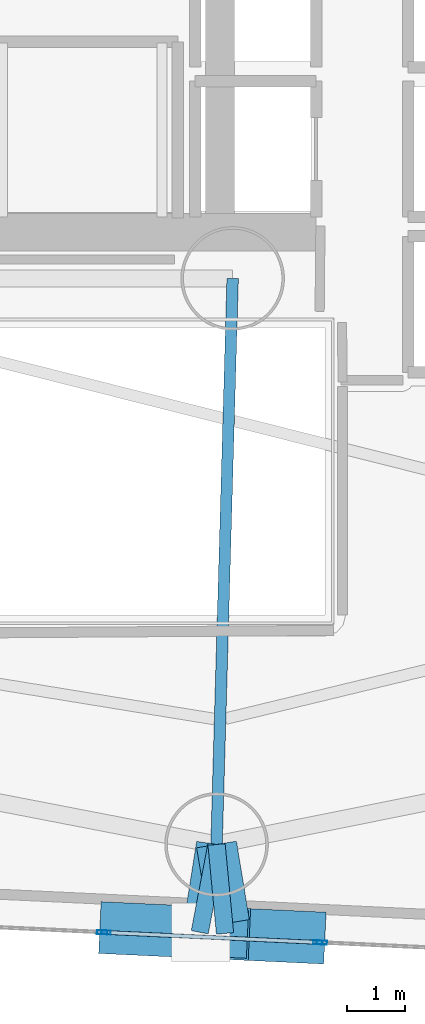
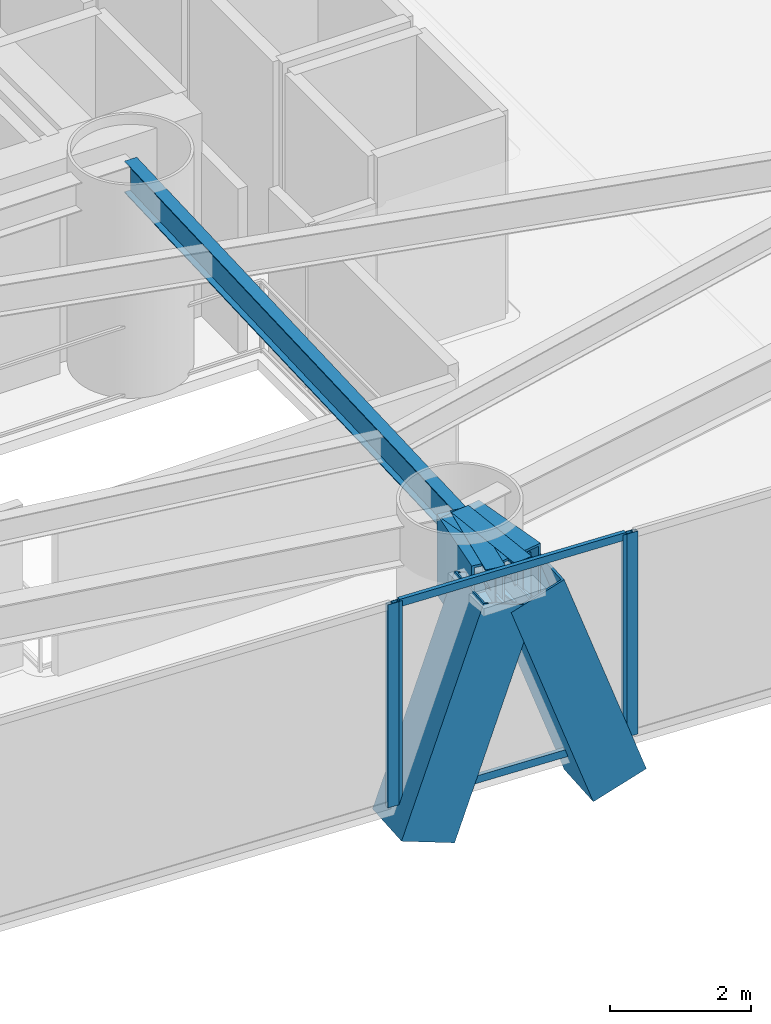
# One storey, part 5 of 23: 8 members, 5 beams, 3 elements without a shape of their own.
"""IFC4 building model written with IfcOpenShell, lengths in metres."""

from ifc_helpers import new_model, si_unit, direction, frame, origin, origin_2d, place, context, subcontext, project, spatial, hollow_rectangle, i_section, extrude, material, layer, layer_set, material_profile, profile_set, type_object, element, aggregate, save


model = new_model("IFC4")

# Units and contexts
model_context = context("Model", 3, precision=1e-05, world=origin(), true_north=direction((0.0, 1.0)))
body_context = subcontext(model_context, "Body", "Model", "MODEL_VIEW")
ifc_project = project(units=[si_unit("LENGTHUNIT", "METRE"), si_unit("AREAUNIT", "SQUARE_METRE"), si_unit("VOLUMEUNIT", "CUBIC_METRE"), si_unit("PLANEANGLEUNIT", "RADIAN"), si_unit("MASSUNIT", "GRAM", prefix="KILO")], contexts=[model_context])

# Site, building, storey
site_placement = place(None, origin())
site = spatial("IfcSite", under=ifc_project, at=site_placement, CompositionType="ELEMENT")
building_placement = place(site_placement, origin())
building = spatial("IfcBuilding", under=site, at=building_placement, Name="Qianvela Tower", CompositionType="ELEMENT")
storey_placement = place(building_placement, frame((0.0, 0.0, 36.800048828125)))
storey = spatial("IfcBuildingStorey", under=building, at=storey_placement, Name="L08", CompositionType="ELEMENT", Elevation=36.800048828125)

# Beams
ifc_material_1 = material(Name="Steel Q355B", Category="steel")
ifc_material_profile_1 = material_profile(ifc_material_1, i_section(OverallWidth=0.199951171875, OverallDepth=0.550048828125, WebThickness=0.010009765625, FlangeThickness=0.01611328125, at=origin_2d()), Name="HN550x200x10x16")
ifc_profile_set_1 = profile_set([ifc_material_profile_1], Name="Steel Q355B")
beam_type_1 = type_object("IfcBeamType", Name="BM-HN550-GIRD", PredefinedType="BEAM", material=ifc_profile_set_1)
beam_placement = place(storey_placement, frame((38.39990234375, 23.85009765625, 3.242919921875), z_axis=(-0.028439336302, -0.999595520273, 0.0), x_axis=(0.999595520273, -0.028439336302, 0.0)))
element("IfcBeam", 1, at=beam_placement, inside=storey, type_object=beam_type_1, Name="L08 Radial Primary Floor Girder 6", PredefinedType="BEAM", context=body_context, shape_type="SweptSolid", body=[
    extrude(i_section(OverallWidth=0.199951171875, OverallDepth=0.550048828125, WebThickness=0.010009765625, FlangeThickness=0.01611328125, at=origin_2d()), origin(), (0.0, 0.0, 1.0), 9.837890625),
])
ifc_material_2 = material(Name="Steel Q355B", Category="steel")
ifc_material_profile_2 = material_profile(ifc_material_2, i_section(OverallWidth=0.300048828125, OverallDepth=0.699951171875, WebThickness=0.012939453125, FlangeThickness=0.02392578125, at=origin_2d()), Name="HN700x300x13x24")
ifc_profile_set_2 = profile_set([ifc_material_profile_2], Name="Steel Q355B")
beam_type_2 = type_object("IfcBeamType", Name="BM-HN700-SPAND", PredefinedType="SPANDREL", material=ifc_profile_set_2)
for number, where, z_axis, x_axis, name in (
    (2, (38.1201171875, 14.01611328125, 3.16796875), (-0.188123923487, -0.982145299542, 0.0), (0.982145299542, -0.188123923487, 0.0), "L08 Mega-Brace Column Tie Bracket F3-1"),
    (3, (38.1201171875, 14.01611328125, 3.16796875), (0.095002078177, -0.995477074142, 0.0), (0.995477074142, 0.095002078177, 0.0), "L08 Mega-Brace Column Tie Bracket F3-2"),
):
    element("IfcBeam", number, at=place(storey_placement, frame(where, z_axis=z_axis, x_axis=x_axis)), inside=storey, type_object=beam_type_2, Name=name, PredefinedType="SPANDREL", context=body_context, shape_type="SweptSolid", body=[
        extrude(i_section(OverallWidth=0.300048828125, OverallDepth=0.699951171875, WebThickness=0.012939453125, FlangeThickness=0.02392578125, at=origin_2d()), origin(), (0.0, 0.0, 1.0), 1.55224609375),
    ])
ifc_material_3 = material(Name="Steel Q420GJC", Category="steel")
ifc_material_profile_3 = material_profile(ifc_material_3, hollow_rectangle(XDim=0.699951171875, YDim=1.39990234375, WallThickness=0.0400390625, at=origin_2d()), Name="TG-BOX-1400x700x40")
ifc_profile_set_3 = profile_set([ifc_material_profile_3], Name="Steel Q420GJC")
beam_type_3 = type_object("IfcBeamType", Name="BM-TG-STEP-1400", PredefinedType="BEAM", material=ifc_profile_set_3)
for number, where, z_axis, x_axis, name in (
    (4, (38.1201171875, 14.01611328125, 2.81494140625), (-0.156135093419, -0.987735709896, 0.0), (0.987735709896, -0.156135093419, 0.0), "L08 Mega-Brace Zone Base Bracket F3-1"),
    (5, (38.1201171875, 14.01611328125, 2.81494140625), (0.162506133206, -0.986707533502, 0.0), (0.986707533502, 0.162506133206, 0.0), "L08 Mega-Brace Zone Base Bracket F3-2"),
):
    element("IfcBeam", number, at=place(storey_placement, frame(where, z_axis=z_axis, x_axis=x_axis)), inside=storey, type_object=beam_type_3, Name=name, PredefinedType="BEAM", context=body_context, shape_type="SweptSolid", body=[
        extrude(hollow_rectangle(XDim=0.699951171875, YDim=1.39990234375, WallThickness=0.0400390625, at=origin_2d()), origin(), (0.0, 0.0, 1.0), 1.380615234375),
    ])

# Curtain wall, members
ifc_material_4 = material(Name="Anodised Architectural Aluminium and Insulated Spandrel Panel", Category="aluminium")
ifc_layer_1 = layer(ifc_material_4, 0.179931640625)
ifc_layer_set_1 = layer_set([ifc_layer_1], Name="Anodised Architectural Aluminium and Insulated Spandrel Panel")
curtain_wall_type_1 = type_object("IfcCurtainWallType", Name="CW-BRACEBAY", PredefinedType="USERDEFINED", material=ifc_layer_set_1)
curtain_wall_1_placement = place(storey_placement, origin())
curtain_wall_1 = element("IfcCurtainWall", 6, at=curtain_wall_1_placement, inside=storey, type_object=curtain_wall_type_1, Name="L08 CW-BRACEBAY Curtain Wall 06B", ObjectType="CURTAIN_WALL_SYSTEM", PredefinedType="USERDEFINED")
ifc_material_5 = material(Name="Anodised Architectural Aluminium 6063-T6", Category="aluminium")
ifc_material_profile_4 = material_profile(ifc_material_5, hollow_rectangle(XDim=0.06494140625, YDim=0.159912109375, WallThickness=0.0048828125, at=origin_2d()), Name="ALU-MULL-65x160")
ifc_profile_set_4 = profile_set([ifc_material_profile_4], Name="Anodised Architectural Aluminium 6063-T6")
member_type_1 = type_object("IfcMemberType", Name="CW-BRACEBAY-MULL", PredefinedType="MULLION", material=ifc_profile_set_4)
member_1_placement = place(storey_placement, frame((36.20068359375, 12.488037109375, 0.0), z_axis=(0.0, 0.0, 1.0), x_axis=(0.046880961336, 0.998900483264, 0.0)))
member_1 = element("IfcMember", 7, at=member_1_placement, type_object=member_type_1, Name="CW-9 mullion 1", PredefinedType="MULLION", context=body_context, shape_type="SweptSolid", body=[
    extrude(hollow_rectangle(XDim=0.06494140625, YDim=0.159912109375, WallThickness=0.0048828125, at=origin_2d()), origin(), (0.0, 0.0, 1.0), 3.52001953125),
])
member_2_placement = place(storey_placement, frame((39.881591796875, 12.315185546875, 0.0), z_axis=(0.0, 0.0, 1.0), x_axis=(0.046880961336, 0.998900483264, 0.0)))
member_2 = element("IfcMember", 8, at=member_2_placement, type_object=member_type_1, Name="CW-9 mullion 2", PredefinedType="MULLION", context=body_context, shape_type="SweptSolid", body=[
    extrude(hollow_rectangle(XDim=0.06494140625, YDim=0.159912109375, WallThickness=0.0048828125, at=origin_2d()), origin(), (0.0, 0.0, 1.0), 3.52001953125),
])
ifc_material_6 = material(Name="Anodised Architectural Aluminium 6063-T6", Category="aluminium")
ifc_material_profile_5 = material_profile(ifc_material_6, hollow_rectangle(XDim=0.06494140625, YDim=0.1298828125, WallThickness=0.00439453125, at=origin_2d()), Name="ALU-TRAN-65x130")
ifc_profile_set_5 = profile_set([ifc_material_profile_5], Name="Anodised Architectural Aluminium 6063-T6")
member_type_2 = type_object("IfcMemberType", Name="CW-BRACEBAY-TRAN", PredefinedType="USERDEFINED", material=ifc_profile_set_5)
member_3_placement = place(storey_placement, frame((36.233154296875, 12.486572265625, 0.032470703125), z_axis=(0.998897696539, -0.046940300911, 0.0), x_axis=(0.046940300911, 0.998897696539, 0.0)))
member_3 = element("IfcMember", 9, at=member_3_placement, type_object=member_type_2, Name="CW-9 transom 1.1", ObjectType="TRANSOM", PredefinedType="USERDEFINED", context=body_context, shape_type="SweptSolid", body=[
    extrude(hollow_rectangle(XDim=0.06494140625, YDim=0.1298828125, WallThickness=0.00439453125, at=origin_2d()), origin(), (0.0, 0.0, 1.0), 3.619873046875),
])
member_4_placement = place(storey_placement, frame((36.233154296875, 12.486572265625, 3.487548828125), z_axis=(0.998897696539, -0.046940300911, 0.0), x_axis=(0.046940300911, 0.998897696539, 0.0)))
member_4 = element("IfcMember", 10, at=member_4_placement, type_object=member_type_2, Name="CW-9 transom 1.2", ObjectType="TRANSOM", PredefinedType="USERDEFINED", context=body_context, shape_type="SweptSolid", body=[
    extrude(hollow_rectangle(XDim=0.06494140625, YDim=0.1298828125, WallThickness=0.00439453125, at=origin_2d()), origin(), (0.0, 0.0, 1.0), 3.619873046875),
])
aggregate(curtain_wall_1, [member_1, member_2, member_3, member_4])

# Curtain wall, member
ifc_material_7 = material(Name="Anodised Architectural Aluminium and Low-E Glass", Category="aluminium")
ifc_layer_2 = layer(ifc_material_7, 0.179931640625)
ifc_layer_set_2 = layer_set([ifc_layer_2], Name="Anodised Architectural Aluminium and Low-E Glass")
curtain_wall_type_2 = type_object("IfcCurtainWallType", Name="CW-COLIV-Z12", PredefinedType="USERDEFINED", material=ifc_layer_set_2)
curtain_wall_2_placement = place(storey_placement, origin())
curtain_wall_2 = element("IfcCurtainWall", 11, at=curtain_wall_2_placement, inside=storey, type_object=curtain_wall_type_2, Name="L08 CW-COLIV-Z12 Curtain Wall 06A", ObjectType="CURTAIN_WALL_SYSTEM", PredefinedType="USERDEFINED")
ifc_material_8 = material(Name="Anodised Architectural Aluminium 6063-T6", Category="aluminium")
ifc_material_profile_6 = material_profile(ifc_material_8, hollow_rectangle(XDim=0.070068359375, YDim=0.179931640625, WallThickness=0.0048828125, at=origin_2d()), Name="ALU-MULL-70x180")
ifc_profile_set_6 = profile_set([ifc_material_profile_6], Name="Anodised Architectural Aluminium 6063-T6")
member_type_3 = type_object("IfcMemberType", Name="CW-COLIV-Z12-MULL", PredefinedType="MULLION", material=ifc_profile_set_6)
member_5_placement = place(storey_placement, frame((36.13330078125, 12.4912109375, 0.0), z_axis=(0.0, 0.0, 1.0), x_axis=(0.046880409477, 0.998900509164, 0.0)))
member_5 = element("IfcMember", 12, at=member_5_placement, type_object=member_type_3, Name="CW-3 mullion 2", PredefinedType="MULLION", context=body_context, shape_type="SweptSolid", body=[
    extrude(hollow_rectangle(XDim=0.070068359375, YDim=0.179931640625, WallThickness=0.0048828125, at=origin_2d()), origin(), (0.0, 0.0, 1.0), 3.52001953125),
])
aggregate(curtain_wall_2, [member_5])

curtain_wall_3_placement = place(storey_placement, origin())
curtain_wall_3 = element("IfcCurtainWall", 13, at=curtain_wall_3_placement, inside=storey, type_object=curtain_wall_type_2, Name="L08 CW-COLIV-Z12 Curtain Wall 06C", ObjectType="CURTAIN_WALL_SYSTEM", PredefinedType="USERDEFINED")
member_6_placement = place(storey_placement, frame((39.948974609375, 12.31201171875, 0.0), z_axis=(0.0, 0.0, 1.0), x_axis=(0.046885698408, 0.998900260929, 0.0)))
member_6 = element("IfcMember", 14, at=member_6_placement, type_object=member_type_3, Name="CW-3 mullion 1", PredefinedType="MULLION", context=body_context, shape_type="SweptSolid", body=[
    extrude(hollow_rectangle(XDim=0.070068359375, YDim=0.179931640625, WallThickness=0.0048828125, at=origin_2d()), origin(), (0.0, 0.0, 1.0), 3.52001953125),
])
aggregate(curtain_wall_3, [member_6])

# Members
ifc_material_9 = material(Name="Steel Q420GJC", Category="steel")
ifc_material_profile_7 = material_profile(ifc_material_9, hollow_rectangle(XDim=0.89990234375, YDim=0.89990234375, WallThickness=0.035888671875, at=origin_2d()), Name="MBOX-900x900x36")
ifc_profile_set_7 = profile_set([ifc_material_profile_7], Name="Steel Q420GJC")
member_type_4 = type_object("IfcMemberType", Name="MBR-MBRACE-900", PredefinedType="BRACE", material=ifc_profile_set_7)
member_7_placement = place(storey_placement, frame((36.51708984375, 12.55322265625, -0.531982421875), z_axis=(0.333950039015, -0.015671398479, 0.942460491857), x_axis=(0.046875788261, 0.998900726036, 0.0)))
element("IfcMember", 15, at=member_7_placement, inside=storey, type_object=member_type_4, Name="L08 Tier 1 Exterior Mega-Brace F3A", PredefinedType="BRACE", context=body_context, shape_type="SweptSolid", body=[
    extrude(hollow_rectangle(XDim=0.89990234375, YDim=0.89990234375, WallThickness=0.035888671875, at=origin_2d()), origin(), (0.0, 0.0, 1.0), 3.92578125),
])
member_8_placement = place(storey_placement, frame((39.578857421875, 12.409423828125, -0.531982421875), z_axis=(-0.334005290004, 0.015671073, 0.942440917894), x_axis=(-0.046867079861, -0.99890113466, 0.0)))
element("IfcMember", 16, at=member_8_placement, inside=storey, type_object=member_type_4, Name="L08 Tier 1 Exterior Mega-Brace F3B", PredefinedType="BRACE", context=body_context, shape_type="SweptSolid", body=[
    extrude(hollow_rectangle(XDim=0.89990234375, YDim=0.89990234375, WallThickness=0.035888671875, at=origin_2d()), origin(), (0.0, 0.0, 1.0), 3.926025390625),
])

save(model, "model.ifc")
